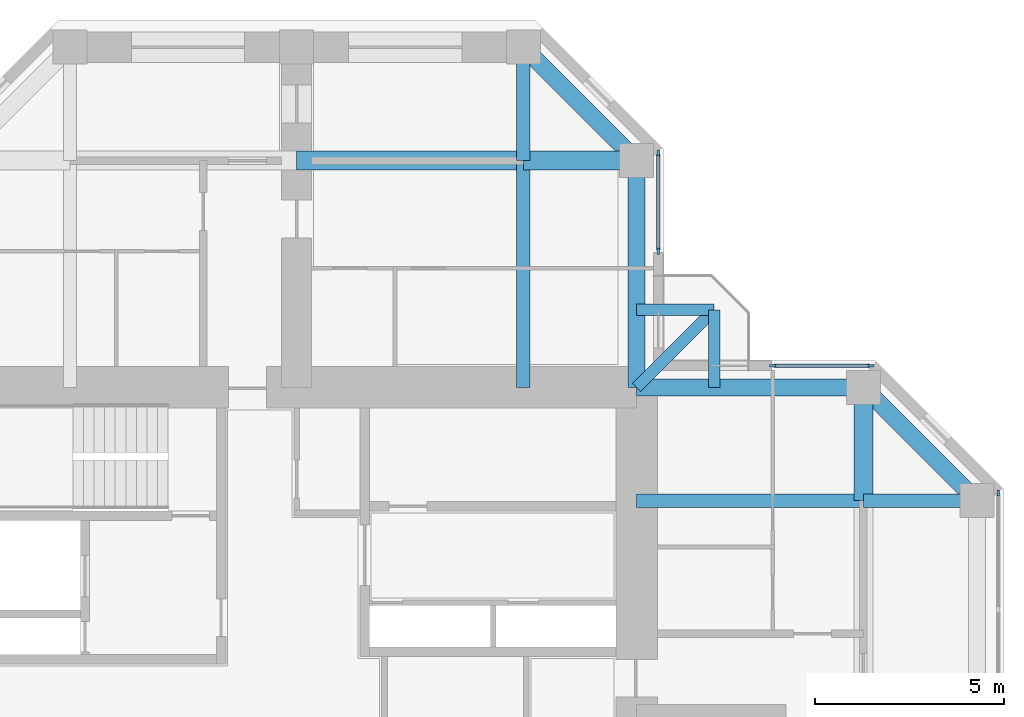
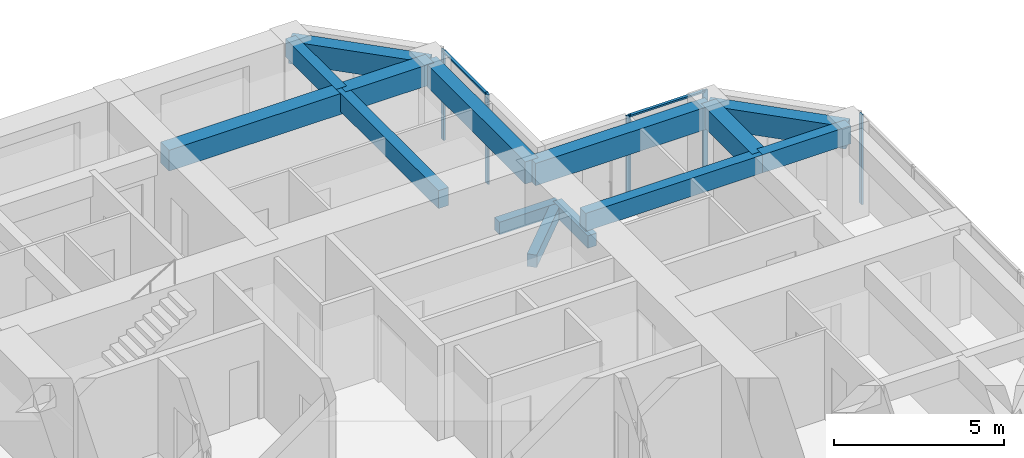
# One storey, part 6 of 14: 14 beams, 7 members, 3 elements without a shape of their own.
"""IFC4 building model written with IfcOpenShell, lengths in metres."""

from ifc_helpers import new_model, si_unit, direction, frame, origin, origin_2d, place, context, subcontext, project, spatial, rectangle, extrude, material, material_profile, profile_set, type_object, element, aggregate, save


model = new_model("IFC4")

# Units and contexts
model_context = context("Model", 3, precision=1e-05, world=origin(), true_north=direction((0.0, 1.0)))
body_context = subcontext(model_context, "Body", "Model", "MODEL_VIEW")
ifc_project = project(units=[si_unit("LENGTHUNIT", "METRE"), si_unit("AREAUNIT", "SQUARE_METRE"), si_unit("VOLUMEUNIT", "CUBIC_METRE"), si_unit("PLANEANGLEUNIT", "RADIAN"), si_unit("MASSUNIT", "GRAM", prefix="KILO")], contexts=[model_context])

# Site, building, storey
site_placement = place(None, origin())
site = spatial("IfcSite", under=ifc_project, at=site_placement, CompositionType="ELEMENT")
building_placement = place(site_placement, origin())
building = spatial("IfcBuilding", under=site, at=building_placement, Name="Torre Cruceta", CompositionType="ELEMENT")
storey_placement = place(building_placement, frame((0.0, 0.0, 183.10009765625)))
storey = spatial("IfcBuildingStorey", under=building, at=storey_placement, Name="L45", CompositionType="ELEMENT", Elevation=183.10009765625)

# Beams
ifc_material_1 = material(Name="Concrete G60 (fck 60 MPa)", Category="concrete")
ifc_material_profile_1 = material_profile(ifc_material_1, rectangle(XDim=0.300048828125, YDim=0.449951171875, at=origin_2d()), Name="RC 300X450")
ifc_profile_set_1 = profile_set([ifc_material_profile_1], Name="Concrete G60 (fck 60 MPa)")
beam_type_1 = type_object("IfcBeamType", Name="BALCONY CANTILEVER BEAM RC 300X450", PredefinedType="BEAM", material=ifc_profile_set_1)
beam_1_placement = place(storey_placement, frame((9.0, 9.0, -0.405029296875), z_axis=(0.707106781187, 0.707106781187, 0.0), x_axis=(-0.707106781187, 0.707106781187, 0.0)))
element("IfcBeam", 1, at=beam_1_placement, inside=storey, type_object=beam_type_1, Name="BB1 balcony beam L45 E", PredefinedType="BEAM", context=body_context, shape_type="SweptSolid", body=[
    extrude(rectangle(XDim=0.300048828125, YDim=0.449951171875, at=origin_2d()), origin(), (0.0, 0.0, 1.0), 2.89990234375),
])
for number, where, z_axis, x_axis, name in (
    (2, (11.050537109375, 9.0, -0.405029296875), (0.0, 1.0, 0.0), (-1.0, 0.0, 0.0), "BB1 balcony edge beam L45 E-X"),
    (3, (9.0, 11.050537109375, -0.405029296875), (1.0, 0.0, 0.0), (0.0, 1.0, 0.0), "BB1 balcony edge beam L45 E-Y"),
):
    element("IfcBeam", number, at=place(storey_placement, frame(where, z_axis=z_axis, x_axis=x_axis)), inside=storey, type_object=beam_type_1, Name=name, PredefinedType="BEAM", context=body_context, shape_type="SweptSolid", body=[
        extrude(rectangle(XDim=0.300048828125, YDim=0.449951171875, at=origin_2d()), origin(), (0.0, 0.0, 1.0), 2.050537109375),
    ])
ifc_material_2 = material(Name="Concrete G60 (fck 60 MPa)", Category="concrete")
ifc_material_profile_2 = material_profile(ifc_material_2, rectangle(XDim=0.35009765625, YDim=0.64990234375, at=origin_2d()), Name="RC 350X650")
ifc_profile_set_2 = profile_set([ifc_material_profile_2], Name="Concrete G60 (fck 60 MPa)")
beam_type_2 = type_object("IfcBeamType", Name="COLUMN LINE BEAM RC 350X650", PredefinedType="BEAM", material=ifc_profile_set_2)
beam_2_placement = place(storey_placement, frame((6.0, 9.0, 2.89501953125), z_axis=(0.0, 1.0, 0.0), x_axis=(-1.0, 0.0, 0.0)))
element("IfcBeam", 4, at=beam_2_placement, inside=storey, type_object=beam_type_2, Name="LB7 L45 N col- 1", PredefinedType="BEAM", context=body_context, shape_type="SweptSolid", body=[
    extrude(rectangle(XDim=0.35009765625, YDim=0.64990234375, at=origin_2d()), origin(), (0.0, 0.0, 1.0), 6.0),
])
beam_3_placement = place(storey_placement, frame((6.0, 15.0, 2.89501953125), z_axis=(0.0, 1.0, 0.0), x_axis=(-1.0, 0.0, 0.0)))
element("IfcBeam", 5, at=beam_3_placement, inside=storey, type_object=beam_type_2, Name="LB7 L45 N col- 2", PredefinedType="BEAM", context=body_context, shape_type="SweptSolid", body=[
    extrude(rectangle(XDim=0.35009765625, YDim=0.64990234375, at=origin_2d()), origin(), (0.0, 0.0, 1.0), 3.0),
])
beam_4_placement = place(storey_placement, frame((9.0, 6.0, 2.89501953125), z_axis=(1.0, 0.0, 0.0), x_axis=(0.0, 1.0, 0.0)))
element("IfcBeam", 6, at=beam_4_placement, inside=storey, type_object=beam_type_2, Name="LB7 L45 E col+ 1", PredefinedType="BEAM", context=body_context, shape_type="SweptSolid", body=[
    extrude(rectangle(XDim=0.35009765625, YDim=0.64990234375, at=origin_2d()), origin(), (0.0, 0.0, 1.0), 6.0),
])
beam_5_placement = place(storey_placement, frame((15.0, 6.0, 2.89501953125), z_axis=(1.0, 0.0, 0.0), x_axis=(0.0, 1.0, 0.0)))
element("IfcBeam", 7, at=beam_5_placement, inside=storey, type_object=beam_type_2, Name="LB7 L45 E col+ 2", PredefinedType="BEAM", context=body_context, shape_type="SweptSolid", body=[
    extrude(rectangle(XDim=0.35009765625, YDim=0.64990234375, at=origin_2d()), origin(), (0.0, 0.0, 1.0), 3.0),
])
ifc_material_3 = material(Name="Concrete G60 (fck 60 MPa)", Category="concrete")
ifc_material_profile_3 = material_profile(ifc_material_3, rectangle(XDim=0.5, YDim=0.75, at=origin_2d()), Name="RC 500X750")
ifc_profile_set_3 = profile_set([ifc_material_profile_3], Name="Concrete G60 (fck 60 MPa)")
beam_type_3 = type_object("IfcBeamType", Name="CROSS BEAM RC 500X750", PredefinedType="BEAM", material=ifc_profile_set_3)
beam_6_placement = place(storey_placement, frame((9.0, 15.0, 2.844970703125), z_axis=(-1.0, 0.0, 0.0), x_axis=(0.0, -1.0, 0.0)))
element("IfcBeam", 8, at=beam_6_placement, inside=storey, type_object=beam_type_3, Name="GB6 L45 N cross15 1", PredefinedType="BEAM", context=body_context, shape_type="SweptSolid", body=[
    extrude(rectangle(XDim=0.5, YDim=0.75, at=origin_2d()), origin(), (0.0, 0.0, 1.0), 3.0),
])
beam_7_placement = place(storey_placement, frame((6.0, 15.0, 2.844970703125), z_axis=(-1.0, 0.0, 0.0), x_axis=(0.0, -1.0, 0.0)))
element("IfcBeam", 9, at=beam_7_placement, inside=storey, type_object=beam_type_3, Name="GB6 L45 N cross15 2", PredefinedType="BEAM", context=body_context, shape_type="SweptSolid", body=[
    extrude(rectangle(XDim=0.5, YDim=0.75, at=origin_2d()), origin(), (0.0, 0.0, 1.0), 6.0),
])
beam_8_placement = place(storey_placement, frame((15.0, 6.0, 2.844970703125), z_axis=(0.0, 1.0, 0.0), x_axis=(-1.0, 0.0, 0.0)))
element("IfcBeam", 10, at=beam_8_placement, inside=storey, type_object=beam_type_3, Name="GB6 L45 E cross15 4", PredefinedType="BEAM", context=body_context, shape_type="SweptSolid", body=[
    extrude(rectangle(XDim=0.5, YDim=0.75, at=origin_2d()), origin(), (0.0, 0.0, 1.0), 3.0),
])

# Curtain wall, member
ifc_material_4 = material(Name="Aluminium unitised curtain wall", Category="aluminium")
curtain_wall_type = type_object("IfcCurtainWallType", Name="CURTAIN WALL CW-C CO-LIVING", PredefinedType="USERDEFINED", material=ifc_material_4)
curtain_wall_1_placement = place(storey_placement, origin())
curtain_wall_1 = element("IfcCurtainWall", 11, at=curtain_wall_1_placement, inside=storey, type_object=curtain_wall_type, Name="CW-C L45 E tip 02", ObjectType="UNITISED", PredefinedType="USERDEFINED")
ifc_material_5 = material(Name="Aluminium mullion", Category="aluminium")
ifc_material_profile_4 = material_profile(ifc_material_5, rectangle(XDim=0.06005859375, YDim=0.159912109375, at=origin_2d()), Name="AL 60X160")
ifc_profile_set_4 = profile_set([ifc_material_profile_4], Name="Aluminium mullion")
member_type_1 = type_object("IfcMemberType", Name="CW-C MULLION 60X160", PredefinedType="MULLION", material=ifc_profile_set_4)
member_1_placement = place(storey_placement, frame((18.570068359375, 6.2060546875, 0.0), z_axis=(0.0, 0.0, 1.0), x_axis=(-1.0, 0.0, 0.0)))
member_1 = element("IfcMember", 12, at=member_1_placement, type_object=member_type_1, Name="CW-C mullion 5", PredefinedType="MULLION", context=body_context, shape_type="SweptSolid", body=[
    extrude(rectangle(XDim=0.06005859375, YDim=0.159912109375, at=origin_2d()), origin(), (0.0, 0.0, 1.0), 3.219970703125),
])
aggregate(curtain_wall_1, [member_1])

# Curtain wall, members
curtain_wall_2_placement = place(storey_placement, origin())
curtain_wall_2 = element("IfcCurtainWall", 13, at=curtain_wall_2_placement, inside=storey, type_object=curtain_wall_type, Name="CW-C L45 E side 04", ObjectType="UNITISED", PredefinedType="USERDEFINED")
member_2_placement = place(storey_placement, frame((15.2060546875, 9.570068359375, 0.0), z_axis=(0.0, 0.0, 1.0), x_axis=(0.0, -1.0, 0.0)))
member_2 = element("IfcMember", 14, at=member_2_placement, type_object=member_type_1, Name="CW-C mullion 1", PredefinedType="MULLION", context=body_context, shape_type="SweptSolid", body=[
    extrude(rectangle(XDim=0.06005859375, YDim=0.159912109375, at=origin_2d()), origin(), (0.0, 0.0, 1.0), 3.219970703125),
])
member_3_placement = place(storey_placement, frame((12.60009765625, 9.570068359375, 0.0), z_axis=(0.0, 0.0, 1.0), x_axis=(0.0, -1.0, 0.0)))
member_3 = element("IfcMember", 15, at=member_3_placement, type_object=member_type_1, Name="CW-C mullion 2", PredefinedType="MULLION", context=body_context, shape_type="SweptSolid", body=[
    extrude(rectangle(XDim=0.06005859375, YDim=0.159912109375, at=origin_2d()), origin(), (0.0, 0.0, 1.0), 3.219970703125),
])

curtain_wall_3_placement = place(storey_placement, origin())
curtain_wall_3 = element("IfcCurtainWall", 16, at=curtain_wall_3_placement, inside=storey, type_object=curtain_wall_type, Name="CW-C L45 N side 05", ObjectType="UNITISED", PredefinedType="USERDEFINED")
member_4_placement = place(storey_placement, frame((9.570068359375, 12.60009765625, 0.0), z_axis=(0.0, 0.0, 1.0), x_axis=(-1.0, 0.0, 0.0)))
member_4 = element("IfcMember", 17, at=member_4_placement, type_object=member_type_1, Name="CW-C mullion 1", PredefinedType="MULLION", context=body_context, shape_type="SweptSolid", body=[
    extrude(rectangle(XDim=0.06005859375, YDim=0.159912109375, at=origin_2d()), origin(), (0.0, 0.0, 1.0), 3.219970703125),
])
member_5_placement = place(storey_placement, frame((9.570068359375, 15.2060546875, 0.0), z_axis=(0.0, 0.0, 1.0), x_axis=(-1.0, 0.0, 0.0)))
member_5 = element("IfcMember", 18, at=member_5_placement, type_object=member_type_1, Name="CW-C mullion 2", PredefinedType="MULLION", context=body_context, shape_type="SweptSolid", body=[
    extrude(rectangle(XDim=0.06005859375, YDim=0.159912109375, at=origin_2d()), origin(), (0.0, 0.0, 1.0), 3.219970703125),
])

# Member
ifc_material_6 = material(Name="Aluminium transom", Category="aluminium")
ifc_material_profile_5 = material_profile(ifc_material_6, rectangle(XDim=0.10009765625, YDim=0.06005859375, at=origin_2d()), Name="AL 100X60")
ifc_profile_set_5 = profile_set([ifc_material_profile_5], Name="Aluminium transom")
member_type_2 = type_object("IfcMemberType", Name="CW-C TRANSOM 60X100", PredefinedType="USERDEFINED", material=ifc_profile_set_5)
member_6_placement = place(storey_placement, frame((15.176025390625, 9.570068359375, 3.18994140625), z_axis=(-1.0, 0.0, 0.0), x_axis=(0.0, -1.0, 0.0)))
member_6 = element("IfcMember", 19, at=member_6_placement, type_object=member_type_2, Name="CW-C transom 1", ObjectType="TRANSOM", PredefinedType="USERDEFINED", context=body_context, shape_type="SweptSolid", body=[
    extrude(rectangle(XDim=0.10009765625, YDim=0.06005859375, at=origin_2d()), origin(), (0.0, 0.0, 1.0), 2.546142578125),
])

aggregate(curtain_wall_2, [member_2, member_3, member_6])

member_7_placement = place(storey_placement, frame((9.570068359375, 12.6298828125, 3.18994140625), z_axis=(0.0, 1.0, 0.0), x_axis=(-1.0, 0.0, 0.0)))
member_7 = element("IfcMember", 20, at=member_7_placement, type_object=member_type_2, Name="CW-C transom 1", ObjectType="TRANSOM", PredefinedType="USERDEFINED", context=body_context, shape_type="SweptSolid", body=[
    extrude(rectangle(XDim=0.10009765625, YDim=0.06005859375, at=origin_2d()), origin(), (0.0, 0.0, 1.0), 2.546142578125),
])

aggregate(curtain_wall_3, [member_4, member_5, member_7])

# Beams
ifc_material_7 = material(Name="Concrete G60 (fck 60 MPa)", Category="concrete")
ifc_material_profile_6 = material_profile(ifc_material_7, rectangle(XDim=0.449951171875, YDim=0.800048828125, at=origin_2d()), Name="RC 450X800")
ifc_profile_set_6 = profile_set([ifc_material_profile_6], Name="Concrete G60 (fck 60 MPa)")
beam_type_4 = type_object("IfcBeamType", Name="SPANDREL BEAM RC 450X800", PredefinedType="SPANDREL", material=ifc_profile_set_6)
beam_9_placement = place(storey_placement, frame((9.0, 9.0, 2.81982421875), z_axis=(0.0, 1.0, 0.0), x_axis=(-1.0, 0.0, 0.0)))
element("IfcBeam", 21, at=beam_9_placement, inside=storey, type_object=beam_type_4, Name="SB6 L45 N side- 1", PredefinedType="SPANDREL", context=body_context, shape_type="SweptSolid", body=[
    extrude(rectangle(XDim=0.449951171875, YDim=0.800048828125, at=origin_2d()), origin(), (0.0, 0.0, 1.0), 6.0),
])
beam_10_placement = place(storey_placement, frame((9.0, 15.0, 2.81982421875), z_axis=(-0.707106781187, 0.707106781187, 0.0), x_axis=(-0.707106781187, -0.707106781187, 0.0)))
element("IfcBeam", 22, at=beam_10_placement, inside=storey, type_object=beam_type_4, Name="SB6 L45 N side- 2", PredefinedType="SPANDREL", context=body_context, shape_type="SweptSolid", body=[
    extrude(rectangle(XDim=0.449951171875, YDim=0.800048828125, at=origin_2d()), origin(), (0.0, 0.0, 1.0), 4.24267578125),
])
beam_11_placement = place(storey_placement, frame((9.0, 9.0, 2.81982421875), z_axis=(1.0, 0.0, 0.0), x_axis=(0.0, 1.0, 0.0)))
element("IfcBeam", 23, at=beam_11_placement, inside=storey, type_object=beam_type_4, Name="SB6 L45 E side+ 1", PredefinedType="SPANDREL", context=body_context, shape_type="SweptSolid", body=[
    extrude(rectangle(XDim=0.449951171875, YDim=0.800048828125, at=origin_2d()), origin(), (0.0, 0.0, 1.0), 6.0),
])
beam_12_placement = place(storey_placement, frame((15.0, 9.0, 2.81982421875), z_axis=(0.707106781187, -0.707106781187, 0.0), x_axis=(0.707106781187, 0.707106781187, 0.0)))
element("IfcBeam", 24, at=beam_12_placement, inside=storey, type_object=beam_type_4, Name="SB6 L45 E side+ 2", PredefinedType="SPANDREL", context=body_context, shape_type="SweptSolid", body=[
    extrude(rectangle(XDim=0.449951171875, YDim=0.800048828125, at=origin_2d()), origin(), (0.0, 0.0, 1.0), 4.24267578125),
])

save(model, "model.ifc")
